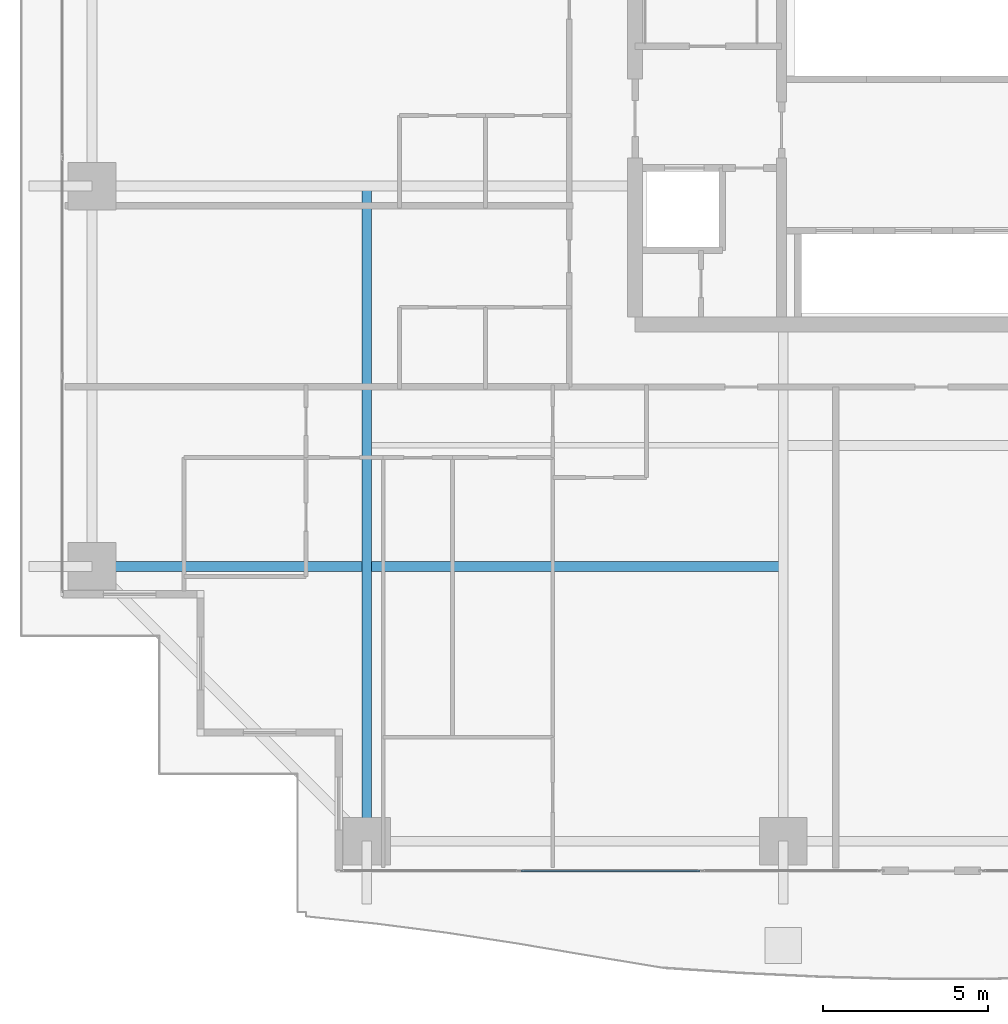
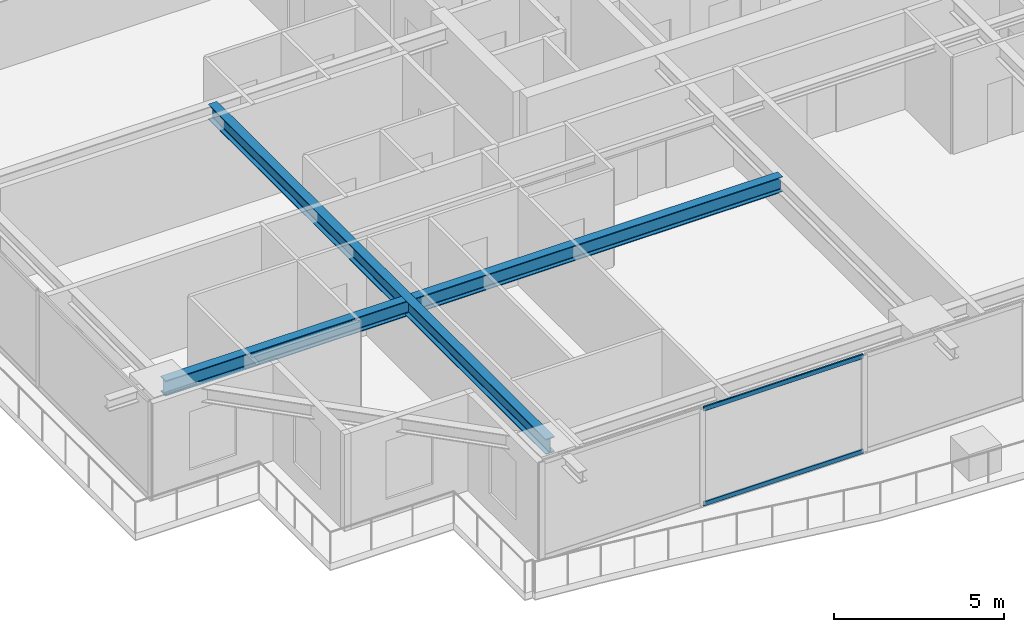
# One storey, part 4 of 39: 2 beams, 2 members, 1 element without a shape of its own.
"""IFC4 building model written with IfcOpenShell, lengths in metres."""

from ifc_helpers import new_model, si_unit, direction, frame, origin, origin_2d, place, context, subcontext, project, spatial, hollow_rectangle, i_section, extrude, source, transform, mapped, material, layer, layer_set, material_profile, profile_set, type_object, element, aggregate, save


model = new_model("IFC4")

# Units and contexts
model_context = context("Model", 3, precision=1e-05, world=origin(), true_north=direction((0.0, 1.0)))
body_context = subcontext(model_context, "Body", "Model", "MODEL_VIEW")
ifc_project = project(units=[si_unit("LENGTHUNIT", "METRE"), si_unit("AREAUNIT", "SQUARE_METRE"), si_unit("VOLUMEUNIT", "CUBIC_METRE"), si_unit("PLANEANGLEUNIT", "RADIAN"), si_unit("MASSUNIT", "GRAM", prefix="KILO")], contexts=[model_context])

# Site, building, storey
site_placement = place(None, origin())
site = spatial("IfcSite", under=ifc_project, at=site_placement, CompositionType="ELEMENT")
building_placement = place(site_placement, origin())
building = spatial("IfcBuilding", under=site, at=building_placement, Name="Serunith Strait Residences", CompositionType="ELEMENT")
storey_placement = place(building_placement, frame((0.0, 0.0, 79.199951171875)))
storey = spatial("IfcBuildingStorey", under=building, at=storey_placement, Name="L19", CompositionType="ELEMENT", Elevation=79.199951171875)

# Beams
ifc_material_1 = material(Name="Steel S355J2", Category="steel")
ifc_material_profile_1 = material_profile(ifc_material_1, i_section(OverallWidth=0.300048828125, OverallDepth=0.550048828125, WebThickness=0.014892578125, FlangeThickness=0.029052734375, FilletRadius=0.027099609375, at=origin_2d()), Name="HEB 550")
ifc_profile_set_1 = profile_set([ifc_material_profile_1], Name="Steel S355J2")
beam_type = type_object("IfcBeamType", Name="BM-HEB550", PredefinedType="BEAM", material=ifc_profile_set_1)
shared_shape_1 = source(origin(), body_context, "Body", "SweptSolid", [
    extrude(i_section(OverallWidth=0.300048828125, OverallDepth=0.550048828125, WebThickness=0.014892578125, FlangeThickness=0.029052734375, FilletRadius=0.027099609375, at=origin_2d()), origin(), (0.0, 0.0, 1.0), 19.89990234375),
])
beam_1_placement = place(storey_placement, frame((15.25, 21.0, 3.212158203125), z_axis=(0.0, -1.0, 0.0), x_axis=(1.0, 0.0, 0.0)))
element("IfcBeam", 1, at=beam_1_placement, inside=storey, type_object=beam_type, Name="L19 Orthogonal Corner Girder TC-S1", PredefinedType="BEAM", context=body_context, shape_type="MappedRepresentation", body=[
    mapped(shared_shape_1, transform((0.0, 0.0, 0.0), scale=1.0)),
])
shared_shape_2 = source(origin(), body_context, "Body", "SweptSolid", [
    extrude(i_section(OverallWidth=0.300048828125, OverallDepth=0.550048828125, WebThickness=0.014892578125, FlangeThickness=0.029052734375, FilletRadius=0.027099609375, at=origin_2d()), origin(), (0.0, 0.0, 1.0), 21.0),
])
beam_2_placement = place(storey_placement, frame((27.89990234375, 9.449951171875, 3.212158203125), z_axis=(-1.0, 0.0, 0.0), x_axis=(0.0, -1.0, 0.0)))
element("IfcBeam", 2, at=beam_2_placement, inside=storey, type_object=beam_type, Name="L19 Orthogonal Corner Girder TC-W1", PredefinedType="BEAM", context=body_context, shape_type="MappedRepresentation", body=[
    mapped(shared_shape_2, transform((0.0, 0.0, 0.0), scale=1.0)),
])

# Curtain wall, members
ifc_material_2 = material(Name="Pale-Champagne Anodised Aluminium", Category="aluminium")
ifc_layer = layer(ifc_material_2, 0.199951171875, Name="Pale-Champagne Anodised Aluminium")
ifc_layer_set = layer_set([ifc_layer], Name="Pale-Champagne Anodised Aluminium")
curtain_wall_type = type_object("IfcCurtainWallType", Name="CW-SYS1", PredefinedType="NOTDEFINED", material=ifc_layer_set)
curtain_wall_placement = place(storey_placement, origin())
curtain_wall = element("IfcCurtainWall", 3, at=curtain_wall_placement, inside=storey, type_object=curtain_wall_type, Name="L19 S Unitised Fritted Curtain Wall", PredefinedType="NOTDEFINED")
ifc_material_profile_2 = material_profile(ifc_material_2, hollow_rectangle(XDim=0.06005859375, YDim=0.159912109375, WallThickness=0.00341796875, InnerFilletRadius=0.00537109375, OuterFilletRadius=0.0087890625, at=origin_2d()), Name="ALU 160x60x3.5")
ifc_profile_set_2 = profile_set([ifc_material_profile_2], Name="Pale-Champagne Anodised Aluminium")
member_type = type_object("IfcMemberType", Name="CW-SYS1-TRAN", PredefinedType="USERDEFINED", material=ifc_profile_set_2)
shared_shape_3 = source(origin(), body_context, "Body", "SweptSolid", [
    extrude(hollow_rectangle(XDim=0.06005859375, YDim=0.159912109375, WallThickness=0.00341796875, InnerFilletRadius=0.00537109375, OuterFilletRadius=0.0087890625, at=origin_2d()), origin(), (0.0, 0.0, 1.0), 5.429931640625),
])
member_1_placement = place(storey_placement, frame((19.93505859375, 0.199951171875, 0.030029296875), z_axis=(1.0, 0.0, 0.0), x_axis=(0.0, 1.0, 0.0)))
member_1 = element("IfcMember", 4, at=member_1_placement, type_object=member_type, Name="CW-1 transom 2.1", ObjectType="TRANSOM", PredefinedType="USERDEFINED", context=body_context, shape_type="MappedRepresentation", body=[
    mapped(shared_shape_3, transform((0.0, 0.0, 0.0), scale=1.0)),
])
member_2_placement = place(storey_placement, frame((19.93505859375, 0.199951171875, 3.445068359375), z_axis=(1.0, 0.0, 0.0), x_axis=(0.0, 1.0, 0.0)))
member_2 = element("IfcMember", 5, at=member_2_placement, type_object=member_type, Name="CW-1 transom 2.2", ObjectType="TRANSOM", PredefinedType="USERDEFINED", context=body_context, shape_type="MappedRepresentation", body=[
    mapped(shared_shape_3, transform((0.0, 0.0, 0.0), scale=1.0)),
])
aggregate(curtain_wall, [member_1, member_2])

save(model, "model.ifc")
